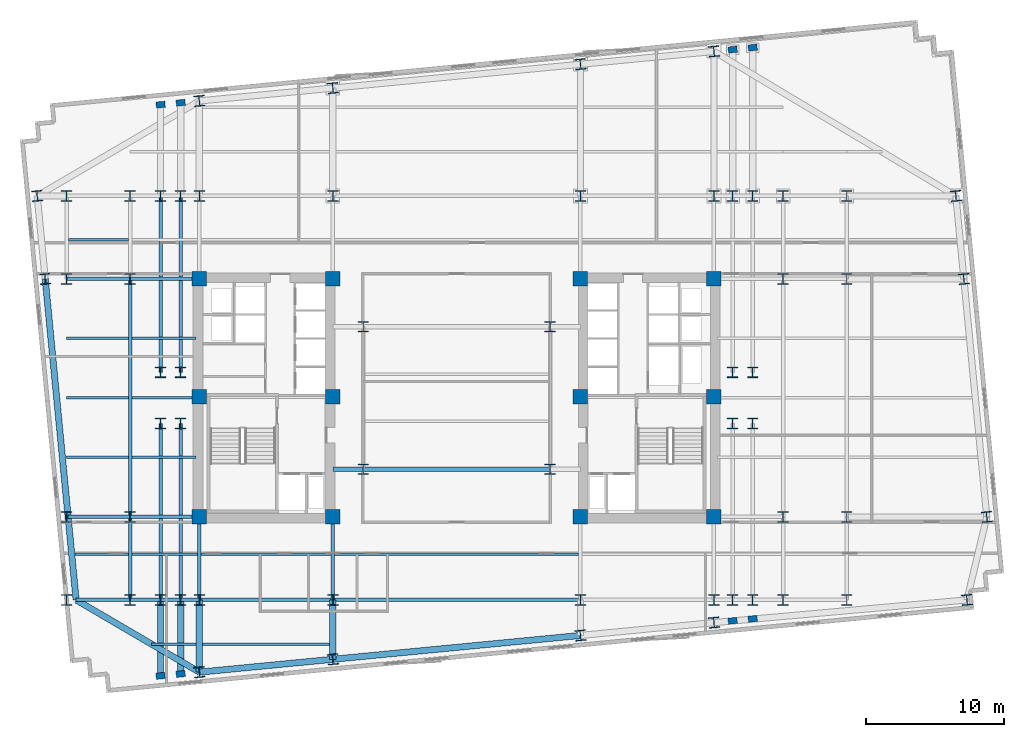
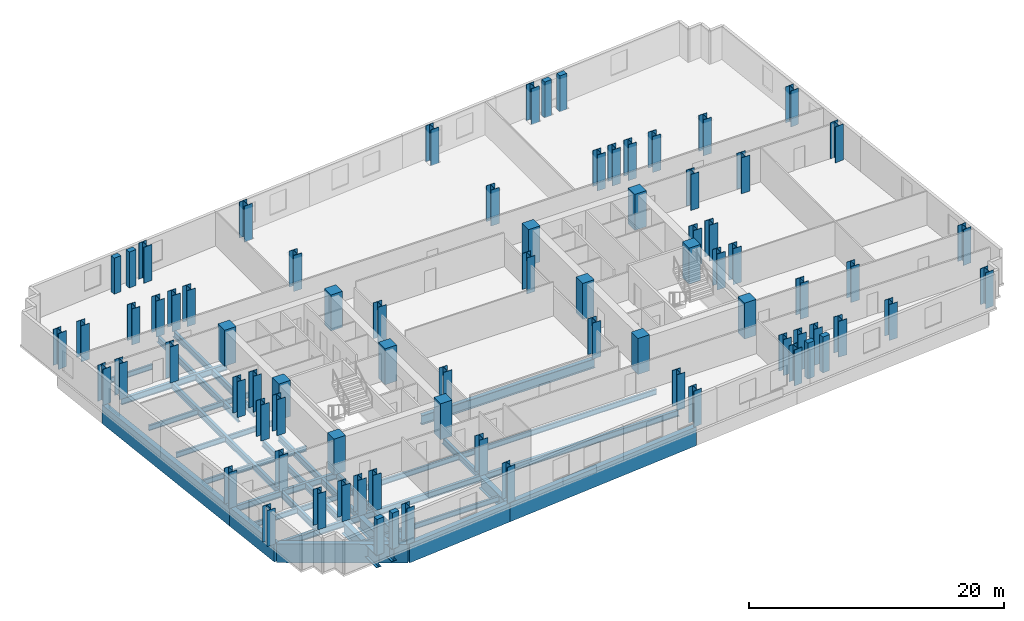
# One storey, part 1 of 10: 78 columns, 40 beams.
"""IFC4 building model written with IfcOpenShell, lengths in metres."""

from ifc_helpers import new_model, si_unit, direction, frame, origin, origin_2d, place, context, subcontext, project, spatial, rectangle, i_section, extrude, material, material_profile, profile_set, type_object, element, save


model = new_model("IFC4")

# Units and contexts
model_context = context("Model", 3, precision=1e-05, world=origin(), true_north=direction((0.0, 1.0)))
body_context = subcontext(model_context, "Body", "Model", "MODEL_VIEW")
ifc_project = project(units=[si_unit("LENGTHUNIT", "METRE"), si_unit("AREAUNIT", "SQUARE_METRE"), si_unit("VOLUMEUNIT", "CUBIC_METRE"), si_unit("PLANEANGLEUNIT", "RADIAN"), si_unit("MASSUNIT", "GRAM", prefix="KILO")], contexts=[model_context])

# Site, building, storey
site_placement = place(None, origin())
site = spatial("IfcSite", under=ifc_project, at=site_placement, CompositionType="ELEMENT")
building_placement = place(site_placement, origin())
building = spatial("IfcBuilding", under=site, at=building_placement, Name="Velakula Bourse", CompositionType="ELEMENT")
storey_placement = place(building_placement, frame((0.0, 0.0, 74.199951171875)))
storey = spatial("IfcBuildingStorey", under=building, at=storey_placement, Name="L19", CompositionType="ELEMENT", Elevation=74.199951171875)

# Columns
ifc_material_1 = material(Name="Concrete M70 (fck 70 MPa)", Category="concrete")
ifc_material_profile_1 = material_profile(ifc_material_1, rectangle(XDim=1.050048828125, YDim=1.050048828125, at=origin_2d()), Name="Concrete M70 (fck 70 MPa)")
ifc_profile_set_1 = profile_set([ifc_material_profile_1], Name="Concrete M70 (fck 70 MPa)")
column_type_1 = type_object("IfcColumnType", Name="COL-RC-1050", PredefinedType="COLUMN", material=ifc_profile_set_1)
for number, where, z_axis, x_axis, name in (
    (1, (-8.949951171875, -8.60009765625, 0.0), (0.0, 0.0, 1.0), (1.0, 0.0, 0.0), "L19 Core Boundary Column 01"),
    (2, (-8.949951171875, 0.10009765625, 0.0), (0.0, 0.0, 1.0), (1.0, 0.0, 0.0), "L19 Core Boundary Column 02"),
    (3, (-8.949951171875, 8.60009765625, 0.0), (0.0, 0.0, 1.0), (1.0, 0.0, 0.0), "L19 Core Boundary Column 03"),
    (4, (-18.60009765625, -8.60009765625, 0.0), (0.0, 0.0, 1.0), (1.0, 0.0, 0.0), "L19 Core Boundary Column 04"),
    (5, (-18.60009765625, 0.10009765625, 0.0), (0.0, 0.0, 1.0), (1.0, 0.0, 0.0), "L19 Core Boundary Column 05"),
    (6, (-18.60009765625, 8.60009765625, 0.0), (0.0, 0.0, 1.0), (1.0, 0.0, 0.0), "L19 Core Boundary Column 06"),
    (7, (8.949951171875, -8.60009765625, 0.0), (0.0, 0.0, 1.0), (1.0, 0.0, 0.0), "L19 Core Boundary Column 07"),
    (8, (8.949951171875, 0.10009765625, 0.0), (0.0, 0.0, 1.0), (1.0, 0.0, 0.0), "L19 Core Boundary Column 08"),
    (9, (8.949951171875, 8.60009765625, 0.0), (0.0, 0.0, 1.0), (1.0, 0.0, 0.0), "L19 Core Boundary Column 09"),
    (10, (18.60009765625, -8.60009765625, 0.0), (0.0, 0.0, 1.0), (1.0, 0.0, 0.0), "L19 Core Boundary Column 10"),
    (11, (18.60009765625, 0.10009765625, 0.0), (0.0, 0.0, 1.0), (1.0, 0.0, 0.0), "L19 Core Boundary Column 11"),
    (12, (18.60009765625, 8.60009765625, 0.0), (0.0, 0.0, 1.0), (1.0, 0.0, 0.0), "L19 Core Boundary Column 12"),
):
    element("IfcColumn", number, at=place(storey_placement, frame(where, z_axis=z_axis, x_axis=x_axis)), inside=storey, type_object=column_type_1, Name=name, PredefinedType="COLUMN", context=body_context, shape_type="SweptSolid", body=[
        extrude(rectangle(XDim=1.050048828125, YDim=1.050048828125, at=origin_2d()), origin(), (0.0, 0.0, 1.0), 3.449951171875),
    ])
ifc_material_2 = material(Name="Steel IS 2062 Grade 450 (E450)", Category="steel")
ifc_material_profile_2 = material_profile(ifc_material_2, i_section(OverallWidth=0.75, OverallDepth=0.75, WebThickness=0.030029296875, FlangeThickness=0.0439453125, at=origin_2d()), Name="Steel IS 2062 Grade 450 (E450)")
ifc_profile_set_2 = profile_set([ifc_material_profile_2], Name="Steel IS 2062 Grade 450 (E450)")
column_type_2 = type_object("IfcColumnType", Name="COL-STL-750", PredefinedType="COLUMN", material=ifc_profile_set_2)
for number, where, z_axis, x_axis, name in (
    (13, (-6.75, -5.14990234375, 0.0), (0.0, 0.0, 1.0), (1.0, 0.0, 0.0), "L19 Central Spine Column 01"),
    (14, (-6.75, 5.14990234375, 0.0), (0.0, 0.0, 1.0), (1.0, 0.0, 0.0), "L19 Central Spine Column 02"),
    (15, (6.75, -5.14990234375, 0.0), (0.0, 0.0, 1.0), (1.0, 0.0, 0.0), "L19 Central Spine Column 03"),
    (16, (6.75, 5.14990234375, 0.0), (0.0, 0.0, 1.0), (1.0, 0.0, 0.0), "L19 Central Spine Column 04"),
    (17, (-21.39990234375, -14.60009765625, 0.0), (0.0, 0.0, 1.0), (1.0, 0.0, 0.0), "L19 Tower Fulcrum Column 01"),
    (18, (-21.39990234375, 14.60009765625, 0.0), (0.0, 0.0, 1.0), (1.0, 0.0, 0.0), "L19 Tower Fulcrum Column 02"),
    (19, (-19.949951171875, -14.60009765625, 0.0), (0.0, 0.0, 1.0), (1.0, 0.0, 0.0), "L19 Tower Fulcrum Column 03"),
    (20, (-19.949951171875, 14.60009765625, 0.0), (0.0, 0.0, 1.0), (1.0, 0.0, 0.0), "L19 Tower Fulcrum Column 04"),
    (21, (-18.60009765625, -14.60009765625, 0.0), (0.0, 0.0, 1.0), (1.0, 0.0, 0.0), "L19 Tower Fulcrum Column 05"),
    (22, (-18.60009765625, 14.60009765625, 0.0), (0.0, 0.0, 1.0), (1.0, 0.0, 0.0), "L19 Tower Fulcrum Column 06"),
    (23, (-8.949951171875, -14.60009765625, 0.0), (0.0, 0.0, 1.0), (1.0, 0.0, 0.0), "L19 Tower Fulcrum Column 07"),
    (24, (-8.949951171875, 14.60009765625, 0.0), (0.0, 0.0, 1.0), (1.0, 0.0, 0.0), "L19 Tower Fulcrum Column 08"),
    (25, (8.949951171875, -14.60009765625, 0.0), (0.0, 0.0, 1.0), (1.0, 0.0, 0.0), "L19 Tower Fulcrum Column 09"),
    (26, (8.949951171875, 14.60009765625, 0.0), (0.0, 0.0, 1.0), (1.0, 0.0, 0.0), "L19 Tower Fulcrum Column 10"),
    (27, (18.60009765625, -14.60009765625, 0.0), (0.0, 0.0, 1.0), (1.0, 0.0, 0.0), "L19 Tower Fulcrum Column 11"),
    (28, (18.60009765625, 14.60009765625, 0.0), (0.0, 0.0, 1.0), (1.0, 0.0, 0.0), "L19 Tower Fulcrum Column 12"),
    (29, (19.949951171875, -14.60009765625, 0.0), (0.0, 0.0, 1.0), (1.0, 0.0, 0.0), "L19 Tower Fulcrum Column 13"),
    (30, (19.949951171875, 14.60009765625, 0.0), (0.0, 0.0, 1.0), (1.0, 0.0, 0.0), "L19 Tower Fulcrum Column 14"),
    (31, (21.39990234375, -14.60009765625, 0.0), (0.0, 0.0, 1.0), (1.0, 0.0, 0.0), "L19 Tower Fulcrum Column 15"),
    (32, (21.39990234375, 14.60009765625, 0.0), (0.0, 0.0, 1.0), (1.0, 0.0, 0.0), "L19 Tower Fulcrum Column 16"),
    (33, (-21.39990234375, -1.85009765625, 0.0), (0.0, 0.0, 1.0), (1.0, 0.0, 0.0), "L19 Tower Fulcrum Column 17"),
    (34, (-21.39990234375, 1.85009765625, 0.0), (0.0, 0.0, 1.0), (1.0, 0.0, 0.0), "L19 Tower Fulcrum Column 18"),
    (35, (-19.949951171875, -1.85009765625, 0.0), (0.0, 0.0, 1.0), (1.0, 0.0, 0.0), "L19 Tower Fulcrum Column 19"),
    (36, (-19.949951171875, 1.85009765625, 0.0), (0.0, 0.0, 1.0), (1.0, 0.0, 0.0), "L19 Tower Fulcrum Column 20"),
    (37, (19.949951171875, -1.85009765625, 0.0), (0.0, 0.0, 1.0), (1.0, 0.0, 0.0), "L19 Tower Fulcrum Column 21"),
    (38, (19.949951171875, 1.85009765625, 0.0), (0.0, 0.0, 1.0), (1.0, 0.0, 0.0), "L19 Tower Fulcrum Column 22"),
    (39, (21.39990234375, -1.85009765625, 0.0), (0.0, 0.0, 1.0), (1.0, 0.0, 0.0), "L19 Tower Fulcrum Column 23"),
    (40, (21.39990234375, 1.85009765625, 0.0), (0.0, 0.0, 1.0), (1.0, 0.0, 0.0), "L19 Tower Fulcrum Column 24"),
    (41, (-23.60009765625, -14.60009765625, 0.0), (0.0, 0.0, 1.0), (1.0, 0.0, 0.0), "L19 Mid-Wing Plumb Column 01"),
    (42, (-23.60009765625, -8.60009765625, 0.0), (0.0, 0.0, 1.0), (1.0, 0.0, 0.0), "L19 Mid-Wing Plumb Column 02"),
    (43, (-23.60009765625, 8.60009765625, 0.0), (0.0, 0.0, 1.0), (1.0, 0.0, 0.0), "L19 Mid-Wing Plumb Column 03"),
    (44, (-23.60009765625, 14.60009765625, 0.0), (0.0, 0.0, 1.0), (1.0, 0.0, 0.0), "L19 Mid-Wing Plumb Column 04"),
    (45, (23.60009765625, -14.60009765625, 0.0), (0.0, 0.0, 1.0), (1.0, 0.0, 0.0), "L19 Mid-Wing Plumb Column 05"),
    (46, (23.60009765625, -8.60009765625, 0.0), (0.0, 0.0, 1.0), (1.0, 0.0, 0.0), "L19 Mid-Wing Plumb Column 06"),
    (47, (23.60009765625, 8.60009765625, 0.0), (0.0, 0.0, 1.0), (1.0, 0.0, 0.0), "L19 Mid-Wing Plumb Column 07"),
    (48, (23.60009765625, 14.60009765625, 0.0), (0.0, 0.0, 1.0), (1.0, 0.0, 0.0), "L19 Mid-Wing Plumb Column 08"),
    (49, (-28.199951171875, -14.60009765625, 0.0), (0.0, 0.0, 1.0), (1.0, 0.0, 0.0), "L19 Lower Wing Column 01"),
    (50, (-28.199951171875, -8.60009765625, 0.0), (0.0, 0.0, 1.0), (1.0, 0.0, 0.0), "L19 Lower Wing Column 02"),
    (51, (-28.199951171875, 8.60009765625, 0.0), (0.0, 0.0, 1.0), (1.0, 0.0, 0.0), "L19 Lower Wing Column 03"),
    (52, (-28.199951171875, 14.60009765625, 0.0), (0.0, 0.0, 1.0), (1.0, 0.0, 0.0), "L19 Lower Wing Column 04"),
    (53, (28.199951171875, -14.60009765625, 0.0), (0.0, 0.0, 1.0), (1.0, 0.0, 0.0), "L19 Lower Wing Column 05"),
    (54, (28.199951171875, -8.60009765625, 0.0), (0.0, 0.0, 1.0), (1.0, 0.0, 0.0), "L19 Lower Wing Column 06"),
    (55, (28.199951171875, 8.60009765625, 0.0), (0.0, 0.0, 1.0), (1.0, 0.0, 0.0), "L19 Lower Wing Column 07"),
    (56, (28.199951171875, 14.60009765625, 0.0), (0.0, 0.0, 1.0), (1.0, 0.0, 0.0), "L19 Lower Wing Column 08"),
    (57, (-18.60009765625, -19.8212890625, 0.0), (0.0, 0.0, 1.0), (0.995396198367, 0.09584575252, 0.0), "L19 Block B2 Perimeter Column S1"),
    (58, (-8.949951171875, -18.89208984375, 0.0), (0.0, 0.0, 1.0), (0.995396198367, 0.09584575252, 0.0), "L19 Block B2 Perimeter Column S2"),
    (59, (8.949951171875, -17.16845703125, 0.0), (0.0, 0.0, 1.0), (0.995396198367, 0.09584575252, 0.0), "L19 Block B2 Perimeter Column S3"),
    (60, (18.60009765625, -16.2392578125, 0.0), (0.0, 0.0, 1.0), (0.995396198367, 0.09584575252, 0.0), "L19 Block B2 Perimeter Column S4"),
    (61, (-18.60009765625, 21.468994140625, 0.0), (0.0, 0.0, 1.0), (0.995396198367, 0.09584575252, 0.0), "L19 Block B2 Perimeter Column N1"),
    (62, (-8.949951171875, 22.398193359375, 0.0), (0.0, 0.0, 1.0), (0.995396198367, 0.09584575252, 0.0), "L19 Block B2 Perimeter Column N2"),
    (63, (8.949951171875, 24.12158203125, 0.0), (0.0, 0.0, 1.0), (0.995396198367, 0.09584575252, 0.0), "L19 Block B2 Perimeter Column N3"),
    (64, (18.60009765625, 25.05078125, 0.0), (0.0, 0.0, 1.0), (0.995396198367, 0.09584575252, 0.0), "L19 Block B2 Perimeter Column N4"),
    (65, (-29.7421875, 8.60009765625, 0.0), (0.0, 0.0, 1.0), (0.995396198367, 0.09584575252, 0.0), "L19 Block B2 Perimeter Column W3"),
    (66, (-30.31982421875, 14.60009765625, 0.0), (0.0, 0.0, 1.0), (0.995396198367, 0.09584575252, 0.0), "L19 Block B2 Perimeter Column W4"),
    (67, (36.88818359375, -14.60009765625, 0.0), (0.0, 0.0, 1.0), (0.995396198367, 0.09584575252, 0.0), "L19 Block B2 Perimeter Column E1"),
    (68, (38.31982421875, -8.60009765625, 0.0), (0.0, 0.0, 1.0), (0.995396198367, 0.09584575252, 0.0), "L19 Block B2 Perimeter Column E2"),
    (69, (36.66357421875, 8.60009765625, 0.0), (0.0, 0.0, 1.0), (0.995396198367, 0.09584575252, 0.0), "L19 Block B2 Perimeter Column E3"),
    (70, (36.0859375, 14.60009765625, 0.0), (0.0, 0.0, 1.0), (0.995396198367, 0.09584575252, 0.0), "L19 Block B2 Perimeter Column E4"),
):
    element("IfcColumn", number, at=place(storey_placement, frame(where, z_axis=z_axis, x_axis=x_axis)), inside=storey, type_object=column_type_2, Name=name, PredefinedType="COLUMN", context=body_context, shape_type="SweptSolid", body=[
        extrude(i_section(OverallWidth=0.75, OverallDepth=0.75, WebThickness=0.030029296875, FlangeThickness=0.0439453125, at=origin_2d()), origin(), (0.0, 0.0, 1.0), 3.449951171875),
    ])
ifc_material_3 = material(Name="Precast concrete M45 (fck 45 MPa)", Category="concrete")
ifc_material_profile_3 = material_profile(ifc_material_3, rectangle(XDim=0.64990234375, YDim=0.449951171875, at=origin_2d()), Name="Precast concrete M45 (fck 45 MPa)")
ifc_profile_set_3 = profile_set([ifc_material_profile_3], Name="Precast concrete M45 (fck 45 MPa)")
column_type_3 = type_object("IfcColumnType", Name="PIL-BRICK-650", PredefinedType="PILASTER", material=ifc_profile_set_3)
for number, where, z_axis, x_axis, name in (
    (71, (-21.39990234375, -20.0908203125, 0.0), (0.0, 0.0, 1.0), (0.995396198367, 0.09584575252, 0.0), "L19 Brick Pier Pilaster 01"),
    (72, (-19.949951171875, -19.951171875, 0.0), (0.0, 0.0, 1.0), (0.995396198367, 0.09584575252, 0.0), "L19 Brick Pier Pilaster 02"),
    (73, (19.949951171875, -16.109130859375, 0.0), (0.0, 0.0, 1.0), (0.995396198367, 0.09584575252, 0.0), "L19 Brick Pier Pilaster 03"),
    (74, (21.39990234375, -15.969482421875, 0.0), (0.0, 0.0, 1.0), (0.995396198367, 0.09584575252, 0.0), "L19 Brick Pier Pilaster 04"),
    (75, (-21.39990234375, 21.19921875, 0.0), (0.0, 0.0, 1.0), (0.995396198367, 0.09584575252, 0.0), "L19 Brick Pier Pilaster 05"),
    (76, (-19.949951171875, 21.3388671875, 0.0), (0.0, 0.0, 1.0), (0.995396198367, 0.09584575252, 0.0), "L19 Brick Pier Pilaster 06"),
    (77, (19.949951171875, 25.180908203125, 0.0), (0.0, 0.0, 1.0), (0.995396198367, 0.09584575252, 0.0), "L19 Brick Pier Pilaster 07"),
    (78, (21.39990234375, 25.320556640625, 0.0), (0.0, 0.0, 1.0), (0.995396198367, 0.09584575252, 0.0), "L19 Brick Pier Pilaster 08"),
):
    element("IfcColumn", number, at=place(storey_placement, frame(where, z_axis=z_axis, x_axis=x_axis)), inside=storey, type_object=column_type_3, Name=name, PredefinedType="PILASTER", context=body_context, shape_type="SweptSolid", body=[
        extrude(rectangle(XDim=0.64990234375, YDim=0.449951171875, at=origin_2d()), origin(), (0.0, 0.0, 1.0), 3.449951171875),
    ])

# Beams
ifc_material_4 = material(Name="Steel IS 2062 Grade 350 (E350)", Category="steel")
ifc_material_profile_4 = material_profile(ifc_material_4, i_section(OverallWidth=0.25, OverallDepth=0.60009765625, WebThickness=0.01171875, FlangeThickness=0.023681640625, at=origin_2d()), Name="Steel IS 2062 Grade 350 (E350)")
ifc_profile_set_4 = profile_set([ifc_material_profile_4], Name="Steel IS 2062 Grade 350 (E350)")
beam_type_1 = type_object("IfcBeamType", Name="BM-GRD-600H", PredefinedType="BEAM", material=ifc_profile_set_4)
for number, where, z_axis, x_axis, name in (
    (79, (-18.60009765625, -14.60009765625, -0.47998046875), (0.0, 1.0, 0.0), (-1.0, 0.0, 0.0), "L19 Fulcrum Grid Girder FLC-WS"),
    (80, (-8.949951171875, -14.60009765625, -0.47998046875), (0.0, 1.0, 0.0), (-1.0, 0.0, 0.0), "L19 Fulcrum Grid Girder FLC-WCS"),
):
    element("IfcBeam", number, at=place(storey_placement, frame(where, z_axis=z_axis, x_axis=x_axis)), inside=storey, type_object=beam_type_1, Name=name, PredefinedType="BEAM", context=body_context, shape_type="SweptSolid", body=[
        extrude(i_section(OverallWidth=0.25, OverallDepth=0.60009765625, WebThickness=0.01171875, FlangeThickness=0.023681640625, at=origin_2d()), origin(), (0.0, 0.0, 1.0), 6.0),
    ])
beam_1_placement = place(storey_placement, frame((-18.60009765625, -14.60009765625, -0.47998046875), z_axis=(1.0, 0.0, 0.0), x_axis=(0.0, 1.0, 0.0)))
element("IfcBeam", 81, at=beam_1_placement, inside=storey, type_object=beam_type_1, Name="L19 Fulcrum Grid Girder FLC-S1", PredefinedType="BEAM", context=body_context, shape_type="SweptSolid", body=[
    extrude(i_section(OverallWidth=0.25, OverallDepth=0.60009765625, WebThickness=0.01171875, FlangeThickness=0.023681640625, at=origin_2d()), origin(), (0.0, 0.0, 1.0), 9.650146484375),
])
beam_2_placement = place(storey_placement, frame((-8.949951171875, -14.60009765625, -0.47998046875), z_axis=(1.0, 0.0, 0.0), x_axis=(0.0, 1.0, 0.0)))
element("IfcBeam", 82, at=beam_2_placement, inside=storey, type_object=beam_type_1, Name="L19 Fulcrum Grid Girder FLC-S2", PredefinedType="BEAM", context=body_context, shape_type="SweptSolid", body=[
    extrude(i_section(OverallWidth=0.25, OverallDepth=0.60009765625, WebThickness=0.01171875, FlangeThickness=0.023681640625, at=origin_2d()), origin(), (0.0, 0.0, 1.0), 17.89990234375),
])
for number, where, z_axis, x_axis, name in (
    (83, (-21.39990234375, -14.60009765625, -0.47998046875), (0.0, 1.0, 0.0), (-1.0, 0.0, 0.0), "L19 Fulcrum Grid Girder FLC-PSW1"),
    (84, (-21.39990234375, 1.85009765625, -0.47998046875), (0.0, 1.0, 0.0), (-1.0, 0.0, 0.0), "L19 Fulcrum Grid Girder FLC-PNW1"),
    (85, (-19.949951171875, -14.60009765625, -0.47998046875), (0.0, 1.0, 0.0), (-1.0, 0.0, 0.0), "L19 Fulcrum Grid Girder FLC-PSW2"),
    (86, (-19.949951171875, 1.85009765625, -0.47998046875), (0.0, 1.0, 0.0), (-1.0, 0.0, 0.0), "L19 Fulcrum Grid Girder FLC-PNW2"),
):
    element("IfcBeam", number, at=place(storey_placement, frame(where, z_axis=z_axis, x_axis=x_axis)), inside=storey, type_object=beam_type_1, Name=name, PredefinedType="BEAM", context=body_context, shape_type="SweptSolid", body=[
        extrude(i_section(OverallWidth=0.25, OverallDepth=0.60009765625, WebThickness=0.01171875, FlangeThickness=0.023681640625, at=origin_2d()), origin(), (0.0, 0.0, 1.0), 12.75),
    ])
for number, where, z_axis, x_axis, name in (
    (87, (-23.60009765625, -14.60009765625, -0.47998046875), (1.0, 0.0, 0.0), (0.0, 1.0, 0.0), "L19 Fulcrum Grid Girder MWG-WS1"),
    (88, (-23.60009765625, -8.60009765625, -0.47998046875), (1.0, 0.0, 0.0), (0.0, 1.0, 0.0), "L19 Fulcrum Grid Girder MWG-WS2"),
    (89, (-23.60009765625, 8.60009765625, -0.47998046875), (1.0, 0.0, 0.0), (0.0, 1.0, 0.0), "L19 Fulcrum Grid Girder MWG-WN1"),
):
    element("IfcBeam", number, at=place(storey_placement, frame(where, z_axis=z_axis, x_axis=x_axis)), inside=storey, type_object=beam_type_1, Name=name, PredefinedType="BEAM", context=body_context, shape_type="SweptSolid", body=[
        extrude(i_section(OverallWidth=0.25, OverallDepth=0.60009765625, WebThickness=0.01171875, FlangeThickness=0.023681640625, at=origin_2d()), origin(), (0.0, 0.0, 1.0), 5.0),
    ])
beam_3_placement = place(storey_placement, frame((-23.60009765625, -14.60009765625, -0.47998046875), z_axis=(0.0, 1.0, 0.0), x_axis=(-1.0, 0.0, 0.0)))
element("IfcBeam", 90, at=beam_3_placement, inside=storey, type_object=beam_type_1, Name="L19 Fulcrum Grid Girder MWG-WNS1", PredefinedType="BEAM", context=body_context, shape_type="SweptSolid", body=[
    extrude(i_section(OverallWidth=0.25, OverallDepth=0.60009765625, WebThickness=0.01171875, FlangeThickness=0.023681640625, at=origin_2d()), origin(), (0.0, 0.0, 1.0), 6.0),
])
beam_4_placement = place(storey_placement, frame((-23.60009765625, -8.60009765625, -0.47998046875), z_axis=(0.0, 1.0, 0.0), x_axis=(-1.0, 0.0, 0.0)))
element("IfcBeam", 91, at=beam_4_placement, inside=storey, type_object=beam_type_1, Name="L19 Fulcrum Grid Girder MWG-WNS2", PredefinedType="BEAM", context=body_context, shape_type="SweptSolid", body=[
    extrude(i_section(OverallWidth=0.25, OverallDepth=0.60009765625, WebThickness=0.01171875, FlangeThickness=0.023681640625, at=origin_2d()), origin(), (0.0, 0.0, 1.0), 17.2001953125),
])
beam_5_placement = place(storey_placement, frame((-27.50830078125, -14.60009765625, -0.47998046875), z_axis=(1.0, 0.0, 0.0), x_axis=(0.0, 1.0, 0.0)))
element("IfcBeam", 92, at=beam_5_placement, inside=storey, type_object=beam_type_1, Name="L19 Fulcrum Grid Girder WNG-WS1", PredefinedType="BEAM", context=body_context, shape_type="SweptSolid", body=[
    extrude(i_section(OverallWidth=0.25, OverallDepth=0.60009765625, WebThickness=0.01171875, FlangeThickness=0.023681640625, at=origin_2d()), origin(), (0.0, 0.0, 1.0), 3.908203125),
])
beam_6_placement = place(storey_placement, frame((-28.0859375, -8.60009765625, -0.47998046875), z_axis=(1.0, 0.0, 0.0), x_axis=(0.0, 1.0, 0.0)))
element("IfcBeam", 93, at=beam_6_placement, inside=storey, type_object=beam_type_1, Name="L19 Fulcrum Grid Girder WNG-WS2", PredefinedType="BEAM", context=body_context, shape_type="SweptSolid", body=[
    extrude(i_section(OverallWidth=0.25, OverallDepth=0.60009765625, WebThickness=0.01171875, FlangeThickness=0.023681640625, at=origin_2d()), origin(), (0.0, 0.0, 1.0), 4.48583984375),
])
beam_7_placement = place(storey_placement, frame((-28.199951171875, 8.60009765625, -0.47998046875), z_axis=(1.0, 0.0, 0.0), x_axis=(0.0, 1.0, 0.0)))
element("IfcBeam", 94, at=beam_7_placement, inside=storey, type_object=beam_type_1, Name="L19 Fulcrum Grid Girder WNG-WN1", PredefinedType="BEAM", context=body_context, shape_type="SweptSolid", body=[
    extrude(i_section(OverallWidth=0.25, OverallDepth=0.60009765625, WebThickness=0.01171875, FlangeThickness=0.023681640625, at=origin_2d()), origin(), (0.0, 0.0, 1.0), 4.599853515625),
])
ifc_material_profile_5 = material_profile(ifc_material_4, i_section(OverallWidth=0.35009765625, OverallDepth=0.89990234375, WebThickness=0.02001953125, FlangeThickness=0.031982421875, at=origin_2d()), Name="Steel IS 2062 Grade 350 (E350)")
ifc_profile_set_5 = profile_set([ifc_material_profile_5], Name="Steel IS 2062 Grade 350 (E350)")
beam_type_2 = type_object("IfcBeamType", Name="BM-LNK-900", PredefinedType="BEAM", material=ifc_profile_set_5)
beam_8_placement = place(storey_placement, frame((-8.949951171875, -5.14990234375, -0.6298828125), z_axis=(1.0, 0.0, 0.0), x_axis=(0.0, 1.0, 0.0)))
element("IfcBeam", 95, at=beam_8_placement, inside=storey, type_object=beam_type_2, Name="L19 Primary Backbone Girder LNK-S1", PredefinedType="BEAM", context=body_context, shape_type="SweptSolid", body=[
    extrude(i_section(OverallWidth=0.35009765625, OverallDepth=0.89990234375, WebThickness=0.02001953125, FlangeThickness=0.031982421875, at=origin_2d()), origin(), (0.0, 0.0, 1.0), 2.199951171875),
])
beam_9_placement = place(storey_placement, frame((-6.75, -5.14990234375, -0.6298828125), z_axis=(1.0, 0.0, 0.0), x_axis=(0.0, 1.0, 0.0)))
element("IfcBeam", 96, at=beam_9_placement, inside=storey, type_object=beam_type_2, Name="L19 Primary Backbone Girder LNK-S2", PredefinedType="BEAM", context=body_context, shape_type="SweptSolid", body=[
    extrude(i_section(OverallWidth=0.35009765625, OverallDepth=0.89990234375, WebThickness=0.02001953125, FlangeThickness=0.031982421875, at=origin_2d()), origin(), (0.0, 0.0, 1.0), 13.5),
])
ifc_material_profile_6 = material_profile(ifc_material_4, i_section(OverallWidth=0.179931640625, OverallDepth=0.5, WebThickness=0.01025390625, FlangeThickness=0.01708984375, at=origin_2d()), Name="Steel IS 2062 Grade 350 (E350)")
ifc_profile_set_6 = profile_set([ifc_material_profile_6], Name="Steel IS 2062 Grade 350 (E350)")
beam_type_3 = type_object("IfcBeamType", Name="JST-TWR-500", PredefinedType="JOIST", material=ifc_profile_set_6)
beam_10_placement = place(storey_placement, frame((-22.048583984375, -17.800048828125, -0.429931640625), z_axis=(1.0, 0.0, 0.0), x_axis=(0.0, 1.0, 0.0)))
element("IfcBeam", 97, at=beam_10_placement, inside=storey, type_object=beam_type_3, Name="L19 Trading Floor Composite Joist 01", PredefinedType="JOIST", context=body_context, shape_type="SweptSolid", body=[
    extrude(i_section(OverallWidth=0.179931640625, OverallDepth=0.5, WebThickness=0.01025390625, FlangeThickness=0.01708984375, at=origin_2d()), origin(), (0.0, 0.0, 1.0), 3.2236328125),
])
beam_11_placement = place(storey_placement, frame((-18.375, -17.800048828125, -0.429931640625), z_axis=(1.0, 0.0, 0.0), x_axis=(0.0, 1.0, 0.0)))
element("IfcBeam", 98, at=beam_11_placement, inside=storey, type_object=beam_type_3, Name="L19 Trading Floor Composite Joist 02", PredefinedType="JOIST", context=body_context, shape_type="SweptSolid", body=[
    extrude(i_section(OverallWidth=0.179931640625, OverallDepth=0.5, WebThickness=0.01025390625, FlangeThickness=0.01708984375, at=origin_2d()), origin(), (0.0, 0.0, 1.0), 9.199951171875),
])
beam_12_placement = place(storey_placement, frame((-27.599853515625, -11.300048828125, -0.429931640625), z_axis=(1.0, 0.0, 0.0), x_axis=(0.0, 1.0, 0.0)))
element("IfcBeam", 99, at=beam_12_placement, inside=storey, type_object=beam_type_3, Name="L19 Trading Floor Composite Joist 04", PredefinedType="JOIST", context=body_context, shape_type="SweptSolid", body=[
    extrude(i_section(OverallWidth=0.179931640625, OverallDepth=0.5, WebThickness=0.01025390625, FlangeThickness=0.01708984375, at=origin_2d()), origin(), (0.0, 0.0, 1.0), 3.874755859375),
])
beam_13_placement = place(storey_placement, frame((-23.47509765625, -11.300048828125, -0.429931640625), z_axis=(1.0, 0.0, 0.0), x_axis=(0.0, 1.0, 0.0)))
element("IfcBeam", 100, at=beam_13_placement, inside=storey, type_object=beam_type_3, Name="L19 Trading Floor Composite Joist 05", PredefinedType="JOIST", context=body_context, shape_type="SweptSolid", body=[
    extrude(i_section(OverallWidth=0.179931640625, OverallDepth=0.5, WebThickness=0.01025390625, FlangeThickness=0.01708984375, at=origin_2d()), origin(), (0.0, 0.0, 1.0), 4.75),
])
beam_14_placement = place(storey_placement, frame((-18.47509765625, -11.300048828125, -0.429931640625), z_axis=(1.0, 0.0, 0.0), x_axis=(0.0, 1.0, 0.0)))
element("IfcBeam", 101, at=beam_14_placement, inside=storey, type_object=beam_type_3, Name="L19 Trading Floor Composite Joist 06", PredefinedType="JOIST", context=body_context, shape_type="SweptSolid", body=[
    extrude(i_section(OverallWidth=0.179931640625, OverallDepth=0.5, WebThickness=0.01025390625, FlangeThickness=0.01708984375, at=origin_2d()), origin(), (0.0, 0.0, 1.0), 9.400146484375),
])
beam_15_placement = place(storey_placement, frame((-8.824951171875, -11.300048828125, -0.429931640625), z_axis=(1.0, 0.0, 0.0), x_axis=(0.0, 1.0, 0.0)))
element("IfcBeam", 102, at=beam_15_placement, inside=storey, type_object=beam_type_3, Name="L19 Trading Floor Composite Joist 07", PredefinedType="JOIST", context=body_context, shape_type="SweptSolid", body=[
    extrude(i_section(OverallWidth=0.179931640625, OverallDepth=0.5, WebThickness=0.01025390625, FlangeThickness=0.01708984375, at=origin_2d()), origin(), (0.0, 0.0, 1.0), 17.64990234375),
])
beam_16_placement = place(storey_placement, frame((-28.074951171875, 11.449951171875, -0.429931640625), z_axis=(1.0, 0.0, 0.0), x_axis=(0.0, 1.0, 0.0)))
element("IfcBeam", 103, at=beam_16_placement, inside=storey, type_object=beam_type_3, Name="L19 Trading Floor Composite Joist 12", PredefinedType="JOIST", context=body_context, shape_type="SweptSolid", body=[
    extrude(i_section(OverallWidth=0.179931640625, OverallDepth=0.5, WebThickness=0.01025390625, FlangeThickness=0.01708984375, at=origin_2d()), origin(), (0.0, 0.0, 1.0), 4.349853515625),
])
beam_17_placement = place(storey_placement, frame((-28.199951171875, -4.300048828125, -0.429931640625), z_axis=(1.0, 0.0, 0.0), x_axis=(0.0, 1.0, 0.0)))
element("IfcBeam", 104, at=beam_17_placement, inside=storey, type_object=beam_type_3, Name="L19 Trading Floor Composite Joist 33", PredefinedType="JOIST", context=body_context, shape_type="SweptSolid", body=[
    extrude(i_section(OverallWidth=0.179931640625, OverallDepth=0.5, WebThickness=0.01025390625, FlangeThickness=0.01708984375, at=origin_2d()), origin(), (0.0, 0.0, 1.0), 4.474853515625),
])
beam_18_placement = place(storey_placement, frame((-23.47509765625, -4.300048828125, -0.429931640625), z_axis=(1.0, 0.0, 0.0), x_axis=(0.0, 1.0, 0.0)))
element("IfcBeam", 105, at=beam_18_placement, inside=storey, type_object=beam_type_3, Name="L19 Trading Floor Composite Joist 34", PredefinedType="JOIST", context=body_context, shape_type="SweptSolid", body=[
    extrude(i_section(OverallWidth=0.179931640625, OverallDepth=0.5, WebThickness=0.01025390625, FlangeThickness=0.01708984375, at=origin_2d()), origin(), (0.0, 0.0, 1.0), 4.625),
])
beam_19_placement = place(storey_placement, frame((-28.199951171875, 0.0, -0.429931640625), z_axis=(1.0, 0.0, 0.0), x_axis=(0.0, 1.0, 0.0)))
element("IfcBeam", 106, at=beam_19_placement, inside=storey, type_object=beam_type_3, Name="L19 Trading Floor Composite Joist 38", PredefinedType="JOIST", context=body_context, shape_type="SweptSolid", body=[
    extrude(i_section(OverallWidth=0.179931640625, OverallDepth=0.5, WebThickness=0.01025390625, FlangeThickness=0.01708984375, at=origin_2d()), origin(), (0.0, 0.0, 1.0), 4.474853515625),
])
beam_20_placement = place(storey_placement, frame((-23.47509765625, 0.0, -0.429931640625), z_axis=(1.0, 0.0, 0.0), x_axis=(0.0, 1.0, 0.0)))
element("IfcBeam", 107, at=beam_20_placement, inside=storey, type_object=beam_type_3, Name="L19 Trading Floor Composite Joist 39", PredefinedType="JOIST", context=body_context, shape_type="SweptSolid", body=[
    extrude(i_section(OverallWidth=0.179931640625, OverallDepth=0.5, WebThickness=0.01025390625, FlangeThickness=0.01708984375, at=origin_2d()), origin(), (0.0, 0.0, 1.0), 4.625),
])
beam_21_placement = place(storey_placement, frame((-28.199951171875, 4.300048828125, -0.429931640625), z_axis=(1.0, 0.0, 0.0), x_axis=(0.0, 1.0, 0.0)))
element("IfcBeam", 108, at=beam_21_placement, inside=storey, type_object=beam_type_3, Name="L19 Trading Floor Composite Joist 43", PredefinedType="JOIST", context=body_context, shape_type="SweptSolid", body=[
    extrude(i_section(OverallWidth=0.179931640625, OverallDepth=0.5, WebThickness=0.01025390625, FlangeThickness=0.01708984375, at=origin_2d()), origin(), (0.0, 0.0, 1.0), 4.474853515625),
])
beam_22_placement = place(storey_placement, frame((-23.47509765625, 4.300048828125, -0.429931640625), z_axis=(1.0, 0.0, 0.0), x_axis=(0.0, 1.0, 0.0)))
element("IfcBeam", 109, at=beam_22_placement, inside=storey, type_object=beam_type_3, Name="L19 Trading Floor Composite Joist 44", PredefinedType="JOIST", context=body_context, shape_type="SweptSolid", body=[
    extrude(i_section(OverallWidth=0.179931640625, OverallDepth=0.5, WebThickness=0.01025390625, FlangeThickness=0.01708984375, at=origin_2d()), origin(), (0.0, 0.0, 1.0), 4.625),
])
ifc_material_5 = material(Name="Concrete M50 (fck 50 MPa)", Category="concrete")
ifc_material_profile_7 = material_profile(ifc_material_5, rectangle(XDim=0.449951171875, YDim=1.800048828125, at=origin_2d()), Name="Concrete M50 (fck 50 MPa)")
ifc_profile_set_7 = profile_set([ifc_material_profile_7], Name="Concrete M50 (fck 50 MPa)")
beam_type_4 = type_object("IfcBeamType", Name="SPN-TRF-1800", PredefinedType="SPANDREL", material=ifc_profile_set_7)
beam_23_placement = place(storey_placement, frame((-18.60009765625, -19.8212890625, -1.079833984375), z_axis=(0.99539623971, 0.095845323155, 0.0), x_axis=(-0.095845323155, 0.99539623971, 0.0)))
element("IfcBeam", 110, at=beam_23_placement, inside=storey, type_object=beam_type_4, Name="L19 Brick-Faced Precast Spandrel S1-S2", PredefinedType="SPANDREL", context=body_context, shape_type="SweptSolid", body=[
    extrude(rectangle(XDim=0.449951171875, YDim=1.800048828125, at=origin_2d()), origin(), (0.0, 0.0, 1.0), 9.69482421875),
])
beam_24_placement = place(storey_placement, frame((-8.949951171875, -18.89208984375, -1.079833984375), z_axis=(0.995395836254, 0.095849513134, 0.0), x_axis=(-0.095849513134, 0.995395836254, 0.0)))
element("IfcBeam", 111, at=beam_24_placement, inside=storey, type_object=beam_type_4, Name="L19 Brick-Faced Precast Spandrel S2-S3", PredefinedType="SPANDREL", context=body_context, shape_type="SweptSolid", body=[
    extrude(rectangle(XDim=0.449951171875, YDim=1.800048828125, at=origin_2d()), origin(), (0.0, 0.0, 1.0), 17.982666015625),
])
beam_25_placement = place(storey_placement, frame((-27.50830078125, -14.60009765625, -1.079833984375), z_axis=(-0.095829714309, 0.995397742541, 0.0), x_axis=(-0.995397742541, -0.095829714309, 0.0)))
element("IfcBeam", 112, at=beam_25_placement, inside=storey, type_object=beam_type_4, Name="L19 Brick-Faced Precast Spandrel W1-W2", PredefinedType="SPANDREL", context=body_context, shape_type="SweptSolid", body=[
    extrude(rectangle(XDim=0.449951171875, YDim=1.800048828125, at=origin_2d()), origin(), (0.0, 0.0, 1.0), 6.02783203125),
])
beam_26_placement = place(storey_placement, frame((-28.0859375, -8.60009765625, -1.079833984375), z_axis=(-0.095849167925, 0.995395869495, 0.0), x_axis=(-0.995395869495, -0.095849167925, 0.0)))
element("IfcBeam", 113, at=beam_26_placement, inside=storey, type_object=beam_type_4, Name="L19 Brick-Faced Precast Spandrel W2-W3", PredefinedType="SPANDREL", context=body_context, shape_type="SweptSolid", body=[
    extrude(rectangle(XDim=0.449951171875, YDim=1.800048828125, at=origin_2d()), origin(), (0.0, 0.0, 1.0), 17.27978515625),
])
beam_27_placement = place(storey_placement, frame((-27.50830078125, -14.60009765625, -1.079833984375), z_axis=(0.862734250413, -0.505657604674, 0.0), x_axis=(0.505657604674, 0.862734250413, 0.0)))
element("IfcBeam", 114, at=beam_27_placement, inside=storey, type_object=beam_type_4, Name="L19 Brick-Faced Precast Spandrel W1-S1", PredefinedType="SPANDREL", context=body_context, shape_type="SweptSolid", body=[
    extrude(rectangle(XDim=0.449951171875, YDim=1.800048828125, at=origin_2d()), origin(), (0.0, 0.0, 1.0), 10.325439453125),
])
ifc_material_profile_8 = material_profile(ifc_material_2, i_section(OverallWidth=0.449951171875, OverallDepth=1.199951171875, WebThickness=0.02587890625, FlangeThickness=0.0400390625, at=origin_2d()), Name="Steel IS 2062 Grade 450 (E450)")
ifc_profile_set_8 = profile_set([ifc_material_profile_8], Name="Steel IS 2062 Grade 450 (E450)")
beam_type_5 = type_object("IfcBeamType", Name="TB-CANT-1200", PredefinedType="BEAM", material=ifc_profile_set_8)
beam_28_placement = place(storey_placement, frame((-18.60009765625, -14.60009765625, -0.780029296875), z_axis=(0.0, -1.0, 0.0), x_axis=(1.0, 0.0, 0.0)))
element("IfcBeam", 115, at=beam_28_placement, inside=storey, type_object=beam_type_5, Name="L19 Perimeter Tie Girder S1", PredefinedType="BEAM", context=body_context, shape_type="SweptSolid", body=[
    extrude(i_section(OverallWidth=0.449951171875, OverallDepth=1.199951171875, WebThickness=0.02587890625, FlangeThickness=0.0400390625, at=origin_2d()), origin(), (0.0, 0.0, 1.0), 5.22119140625),
])
beam_29_placement = place(storey_placement, frame((-8.949951171875, -14.60009765625, -0.780029296875), z_axis=(0.0, -1.0, 0.0), x_axis=(1.0, 0.0, 0.0)))
element("IfcBeam", 116, at=beam_29_placement, inside=storey, type_object=beam_type_5, Name="L19 Perimeter Tie Girder S2", PredefinedType="BEAM", context=body_context, shape_type="SweptSolid", body=[
    extrude(i_section(OverallWidth=0.449951171875, OverallDepth=1.199951171875, WebThickness=0.02587890625, FlangeThickness=0.0400390625, at=origin_2d()), origin(), (0.0, 0.0, 1.0), 4.2919921875),
])
beam_30_placement = place(storey_placement, frame((-21.39990234375, -14.60009765625, -0.780029296875), z_axis=(0.0, -1.0, 0.0), x_axis=(1.0, 0.0, 0.0)))
element("IfcBeam", 117, at=beam_30_placement, inside=storey, type_object=beam_type_5, Name="L19 Perimeter Tie Girder P01", PredefinedType="BEAM", context=body_context, shape_type="SweptSolid", body=[
    extrude(i_section(OverallWidth=0.449951171875, OverallDepth=1.199951171875, WebThickness=0.02587890625, FlangeThickness=0.0400390625, at=origin_2d()), origin(), (0.0, 0.0, 1.0), 5.49072265625),
])
beam_31_placement = place(storey_placement, frame((-19.949951171875, -14.60009765625, -0.780029296875), z_axis=(0.0, -1.0, 0.0), x_axis=(1.0, 0.0, 0.0)))
element("IfcBeam", 118, at=beam_31_placement, inside=storey, type_object=beam_type_5, Name="L19 Perimeter Tie Girder P02", PredefinedType="BEAM", context=body_context, shape_type="SweptSolid", body=[
    extrude(i_section(OverallWidth=0.449951171875, OverallDepth=1.199951171875, WebThickness=0.02587890625, FlangeThickness=0.0400390625, at=origin_2d()), origin(), (0.0, 0.0, 1.0), 5.35107421875),
])

save(model, "model.ifc")
